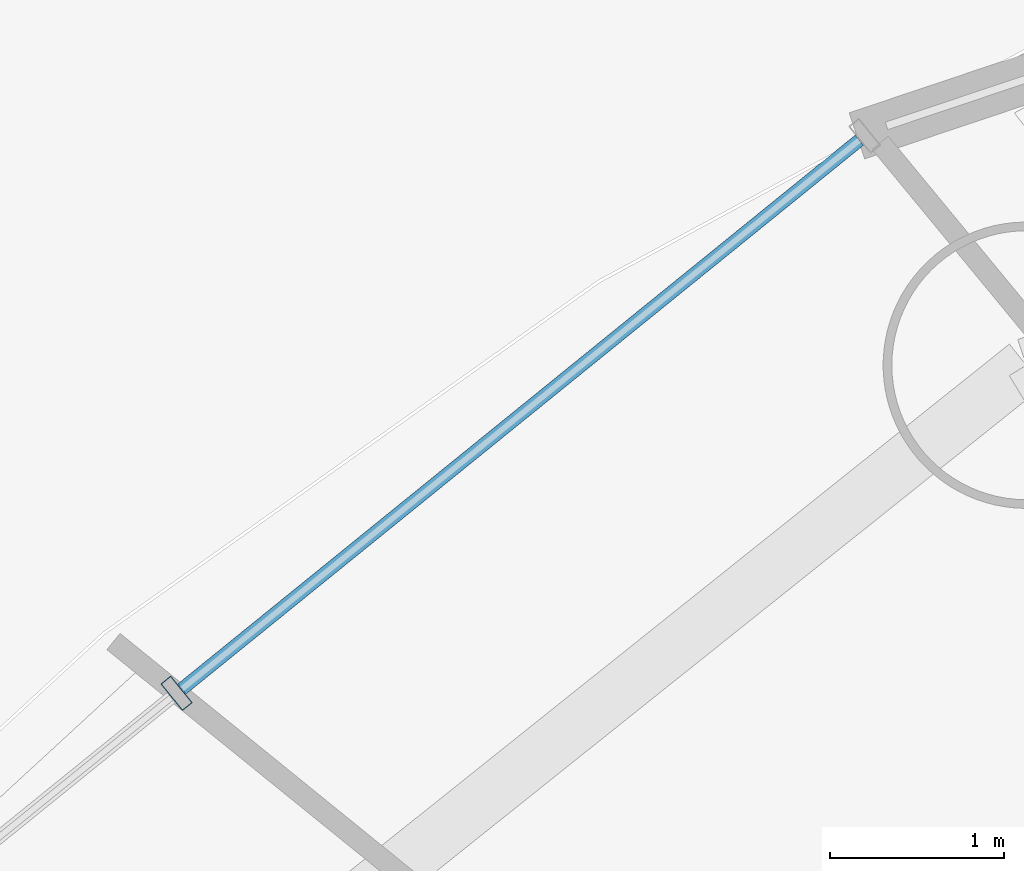
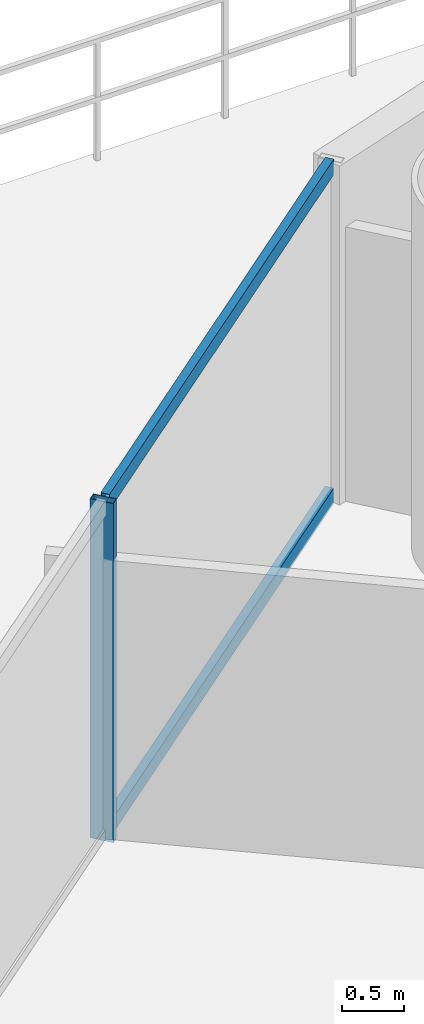
# One storey, part 22 of 37: 3 members, 1 element without a shape of its own.
"""IFC4 building model written with IfcOpenShell, lengths in metres."""

from ifc_helpers import new_model, si_unit, direction, frame, origin, origin_2d, place, context, subcontext, project, spatial, hollow_rectangle, extrude, source, transform, mapped, material, material_profile, profile_set, type_object, element, aggregate, save


model = new_model("IFC4")

# Units and contexts
model_context = context("Model", 3, precision=1e-05, world=origin(), true_north=direction((-0.2419218956, 0.970295726276)))
body_context = subcontext(model_context, "Body", "Model", "MODEL_VIEW")
ifc_project = project(units=[si_unit("LENGTHUNIT", "METRE"), si_unit("AREAUNIT", "SQUARE_METRE"), si_unit("VOLUMEUNIT", "CUBIC_METRE"), si_unit("PLANEANGLEUNIT", "RADIAN"), si_unit("MASSUNIT", "GRAM", prefix="KILO")], contexts=[model_context])

# Site, building, storey
site_placement = place(None, origin())
site = spatial("IfcSite", under=ifc_project, at=site_placement, CompositionType="ELEMENT")
building_placement = place(site_placement, origin())
building = spatial("IfcBuilding", under=site, at=building_placement, Name="Cobrevalo Terracotta Tower", CompositionType="ELEMENT")
storey_placement = place(building_placement, frame((0.0, 0.0, 24.0)))
storey = spatial("IfcBuildingStorey", under=building, at=storey_placement, Name="L05", CompositionType="ELEMENT", Elevation=24.0)

# Curtain wall, members
ifc_material = material(Name="Anodized aluminium", Category="aluminium")
curtain_wall_type = type_object("IfcCurtainWallType", Name="Lower-tower unitised acoustic low-E curtain wall CW-U1", PredefinedType="NOTDEFINED", material=ifc_material)
curtain_wall_placement = place(storey_placement, origin())
curtain_wall = element("IfcCurtainWall", 1, at=curtain_wall_placement, inside=storey, type_object=curtain_wall_type, Name="L05 curtain wall CW-L05-S06", PredefinedType="NOTDEFINED")
ifc_material_profile_1 = material_profile(ifc_material, hollow_rectangle(XDim=0.074951171875, YDim=0.199951171875, WallThickness=0.0048828125, at=origin_2d()), Name="CWM 75x200")
ifc_profile_set_1 = profile_set([ifc_material_profile_1], Name="Anodized aluminium")
member_type_1 = type_object("IfcMemberType", Name="Lower/mid tower unitised mullion 75x200", PredefinedType="MULLION", material=ifc_profile_set_1)
shared_shape_1 = source(origin(), body_context, "Body", "SweptSolid", [
    extrude(hollow_rectangle(XDim=0.074951171875, YDim=0.199951171875, WallThickness=0.0048828125, at=origin_2d()), origin(), (0.0, 0.0, 1.0), 3.320068359375),
])
member_1_placement = place(storey_placement, frame((17.90869140625, 43.076904296875, 0.0), z_axis=(0.0, 0.0, 1.0), x_axis=(-0.777003153187, -0.629496703675, 0.0)))
member_1 = element("IfcMember", 2, at=member_1_placement, type_object=member_type_1, Name="CW-L05-S06 vertical mullion 02", PredefinedType="MULLION", context=body_context, shape_type="MappedRepresentation", body=[
    mapped(shared_shape_1, transform((0.0, 0.0, 0.0), scale=1.0)),
])
ifc_material_profile_2 = material_profile(ifc_material, hollow_rectangle(XDim=0.074951171875, YDim=0.14990234375, WallThickness=0.00439453125, at=origin_2d()), Name="CWT 75x150")
ifc_profile_set_2 = profile_set([ifc_material_profile_2], Name="Anodized aluminium")
member_type_2 = type_object("IfcMemberType", Name="Tower unitised aluminium transom 75x150", PredefinedType="USERDEFINED", material=ifc_profile_set_2)
shared_shape_2 = source(origin(), body_context, "Body", "SweptSolid", [
    extrude(hollow_rectangle(XDim=0.074951171875, YDim=0.14990234375, WallThickness=0.00439453125, at=origin_2d()), origin(), (0.0, 0.0, 1.0), 5.0234375),
])
member_2_placement = place(storey_placement, frame((21.843017578125, 46.26416015625, 0.050048828125), z_axis=(-0.777022991593, -0.629472215857, 0.0), x_axis=(0.629472215857, -0.777022991593, 0.0)))
member_2 = element("IfcMember", 3, at=member_2_placement, type_object=member_type_2, Name="CW-L05-S06 transom B01-T1", ObjectType="TRANSOM", PredefinedType="USERDEFINED", context=body_context, shape_type="MappedRepresentation", body=[
    mapped(shared_shape_2, transform((0.0, 0.0, 0.0), scale=1.0)),
])
member_3_placement = place(storey_placement, frame((21.843017578125, 46.26416015625, 3.27001953125), z_axis=(-0.777022991593, -0.629472215857, 0.0), x_axis=(0.629472215857, -0.777022991593, 0.0)))
member_3 = element("IfcMember", 4, at=member_3_placement, type_object=member_type_2, Name="CW-L05-S06 transom B01-T2", ObjectType="TRANSOM", PredefinedType="USERDEFINED", context=body_context, shape_type="MappedRepresentation", body=[
    mapped(shared_shape_2, transform((0.0, 0.0, 0.0), scale=1.0)),
])
aggregate(curtain_wall, [member_1, member_2, member_3])

save(model, "model.ifc")
